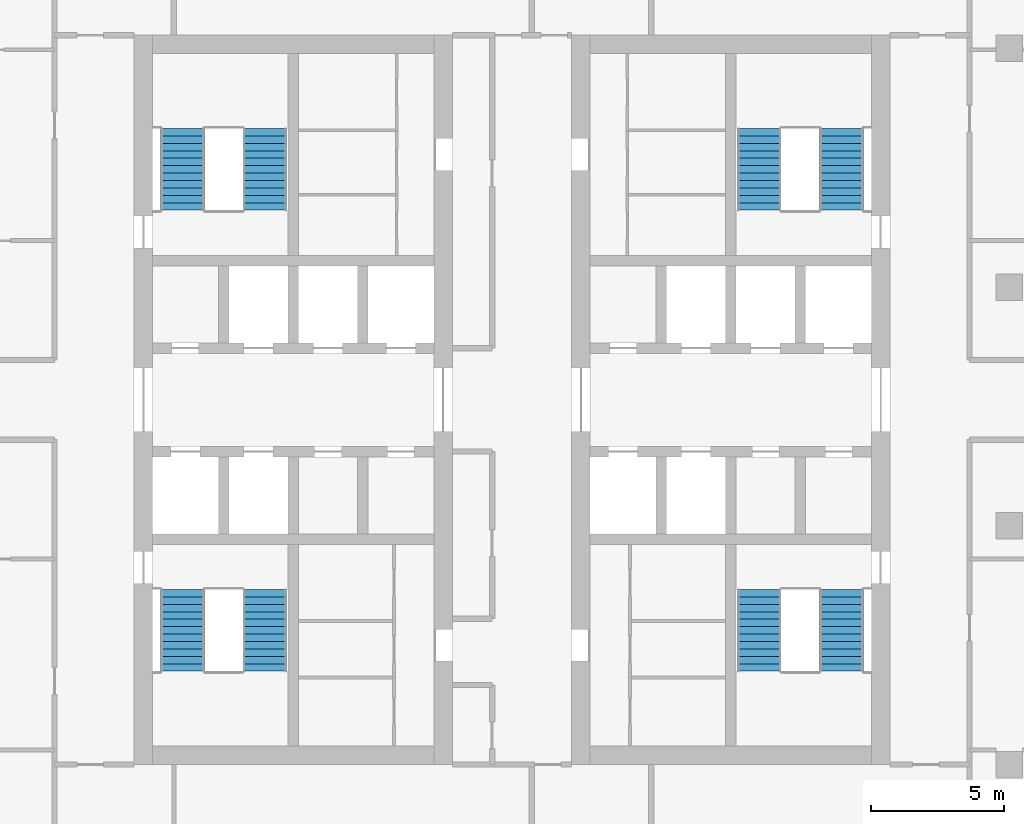
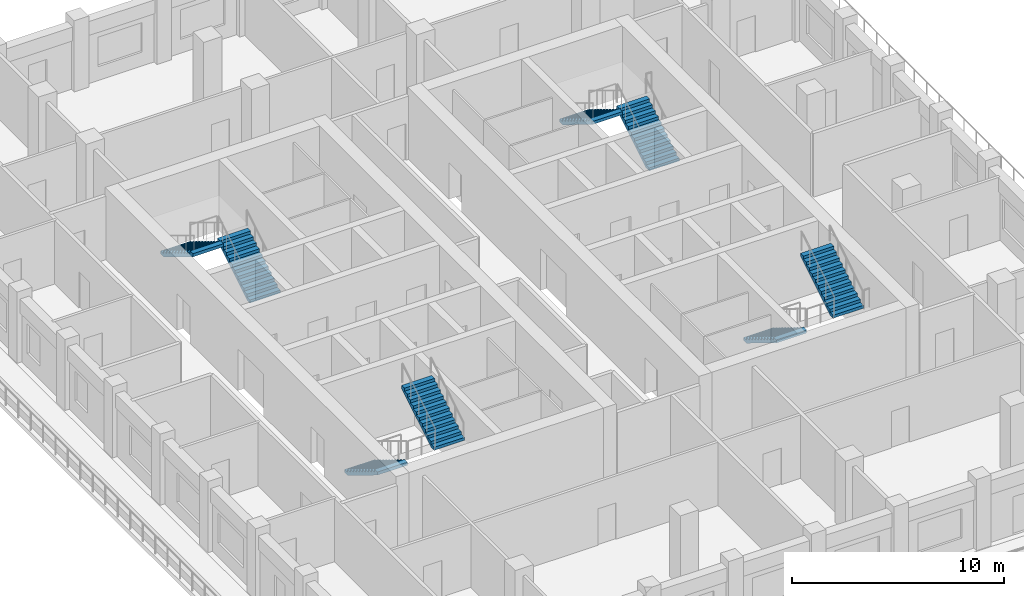
# One storey, part 8 of 17: 8 stair flights, 4 elements without a shape of their own.
"""IFC4 building model written with IfcOpenShell, lengths in metres."""

import ifcopenshell
import ifcopenshell.guid

model = None  # the IFC model being written
_history = None  # IfcOwnerHistory: only IFC2X3 demands one
_inside = {}  # id of a spatial element -> (the spatial element, [elements in it])
_under = {}  # id of a project, library or spatial element -> (it, [spatial elements below it])
_declared = {}  # id of a project -> (the project, [libraries it declares])
_typed = {}  # id of a type object -> (the type object, [elements of that type])
_made_of = {}  # id of a material, layer set ... -> (it, [elements and type objects made of it])


def new_model(schema):
    """Start an empty IFC model of exactly this schema.

    Asked for "IFC4X3", IfcOpenShell would pick the latest addendum, in which some entities
    have other attributes; the version numbers below select the first issue.
    IFC2X3 requires an IfcOwnerHistory on every rooted entity: one is made here for all.
    """
    global model, _history
    if schema == "IFC4X3":
        model = ifcopenshell.file(schema_version=(4, 3, 0, 0))
    else:
        model = ifcopenshell.file(schema=schema)
    _inside.clear()
    _under.clear()
    _declared.clear()
    _typed.clear()
    _made_of.clear()
    _history = None
    if model.schema == "IFC2X3":
        org = make("IfcOrganization", Name="unknown")
        user = make(
            "IfcPersonAndOrganization",
            ThePerson=make("IfcPerson", FamilyName="unknown"),
            TheOrganization=org,
        )
        app = make(
            "IfcApplication",
            ApplicationDeveloper=org,
            Version="unknown",
            ApplicationFullName="unknown",
            ApplicationIdentifier="unknown",
        )
        _history = make(
            "IfcOwnerHistory",
            OwningUser=user,
            OwningApplication=app,
            ChangeAction="ADDED",
            CreationDate=0,
        )
    return model


def make(cls, **values):
    """One entity of the class cls with the attributes given. An attribute that is None is left unset."""
    return model.create_entity(
        cls, **{name: value for name, value in values.items() if value is not None}
    )


def rooted(cls, **values):
    """An entity with a GlobalId (a new one), such as an element, a storey or a relation."""
    return make(cls, GlobalId=ifcopenshell.guid.new(), OwnerHistory=_history, **values)


def si_unit(unit_type, name, prefix=None):
    """IfcSIUnit, for example si_unit("LENGTHUNIT", "METRE", prefix="MILLI")."""
    return make("IfcSIUnit", UnitType=unit_type, Prefix=prefix, Name=name)


def assignment(units):
    """IfcUnitAssignment: the units of a project."""
    return None if units is None else make("IfcUnitAssignment", Units=units)


def point(xyz):
    """IfcCartesianPoint."""
    return None if xyz is None else make("IfcCartesianPoint", Coordinates=xyz)


def direction(xyz):
    """IfcDirection."""
    return None if xyz is None else make("IfcDirection", DirectionRatios=xyz)


def frame(location, z_axis=None, x_axis=None):
    """IfcAxis2Placement3D, a coordinate frame: its origin and axes. An axis left out is left unset."""
    return make(
        "IfcAxis2Placement3D",
        Location=point(location),
        Axis=direction(z_axis),
        RefDirection=direction(x_axis),
    )


def origin():
    """The frame at (0, 0, 0) with its axes left unset."""
    return frame((0.0, 0.0, 0.0))


def place(relative_to, where):
    """IfcLocalPlacement: puts the frame where relative to a parent placement (None: the world)."""
    return make(
        "IfcLocalPlacement", PlacementRelTo=relative_to, RelativePlacement=where
    )


def context(
    kind, dimensions, precision=None, world=None, true_north=None, identifier=None
):
    """IfcGeometricRepresentationContext, for example the 3D "Model" context."""
    return make(
        "IfcGeometricRepresentationContext",
        ContextIdentifier=identifier,
        ContextType=kind,
        CoordinateSpaceDimension=dimensions,
        Precision=precision,
        WorldCoordinateSystem=world,
        TrueNorth=true_north,
    )


def subcontext(parent, identifier, kind, view, scale=None):
    """IfcGeometricRepresentationSubContext, for example "Body" below "Model"."""
    return make(
        "IfcGeometricRepresentationSubContext",
        ContextIdentifier=identifier,
        ContextType=kind,
        ParentContext=parent,
        TargetScale=scale,
        TargetView=view,
    )


def project(units=None, contexts=None):
    """IfcProject with its units and contexts."""
    return rooted(
        "IfcProject",
        Name="project",
        RepresentationContexts=contexts,
        UnitsInContext=assignment(units),
    )


def spatial(cls, under=None, at=None, **own):
    """A site, building, storey or space (cls), placed at a placement, below another one or the project."""
    s = rooted(cls, ObjectPlacement=at, **own)
    if under is not None:
        _under.setdefault(under.id(), (under, []))[1].append(s)
    return s


def polyline(points):
    """IfcPolyline through the points."""
    return make("IfcPolyline", Points=[point(p) for p in points])


def outline(outer, holes=None, kind="AREA"):
    """IfcArbitraryClosedProfileDef: a profile drawn as a closed curve; with holes, ...WithVoids."""
    if holes is None:
        return make("IfcArbitraryClosedProfileDef", ProfileType=kind, OuterCurve=outer)
    return make(
        "IfcArbitraryProfileDefWithVoids",
        ProfileType=kind,
        OuterCurve=outer,
        InnerCurves=holes,
    )


def extrude(swept, where, along, depth):
    """IfcExtrudedAreaSolid: the profile swept, set in the frame where, extruded along a direction by depth."""
    return make(
        "IfcExtrudedAreaSolid",
        SweptArea=swept,
        Position=where,
        ExtrudedDirection=direction(along),
        Depth=depth,
    )


def shape(context_of_items, identifier, shape_type, items):
    """IfcShapeRepresentation: the items that make up one representation, for example the "Body"."""
    return make(
        "IfcShapeRepresentation",
        ContextOfItems=context_of_items,
        RepresentationIdentifier=identifier,
        RepresentationType=shape_type,
        Items=items,
    )


def material(Name=None, Category=None):
    """IfcMaterial."""
    return make("IfcMaterial", Name=Name, Category=Category)


def made_of(thing, what):
    """Note that an element or type object is made of a material, layer set ...; save() writes the relation."""
    if what is not None:
        _made_of.setdefault(what.id(), (what, []))[1].append(thing)
    return thing


def type_object(cls, material=None, **own):
    """A type object (cls), such as IfcWallType, which elements share."""
    return made_of(rooted(cls, **own), material)


def element(
    cls,
    number,
    at=None,
    inside=None,
    cuts=None,
    type_object=None,
    material=None,
    context=None,
    identifier="Body",
    shape_type=None,
    held_by="IfcProductDefinitionShape",
    body=None,
    shapes=None,
    **own,
):
    """One element of the class cls, such as IfcWall. Its Tag is "e" and its number.

    at: its placement. inside: the storey or other place that contains it. cuts: it is an
    opening in that element (IfcRelVoidsElement). A single representation is given by context,
    identifier, shape_type and body (its items); several are given by shapes. held_by: the class
    of the entity that holds the representations. save() writes the other relations.
    """
    e = rooted(cls, Tag="e%d" % number, ObjectPlacement=at, **own)
    if body is not None:
        shapes = [shape(context, identifier, shape_type, body)]
    if shapes is not None:
        e.Representation = make(held_by, Representations=shapes)
    if inside is not None:
        _inside.setdefault(inside.id(), (inside, []))[1].append(e)
    if cuts is not None:
        rooted(
            "IfcRelVoidsElement", RelatingBuildingElement=cuts, RelatedOpeningElement=e
        )
    if type_object is not None:
        _typed.setdefault(type_object.id(), (type_object, []))[1].append(e)
    return made_of(e, material)


def aggregate(whole, parts):
    """IfcRelAggregates: a whole, such as a stair, and the parts it consists of."""
    return rooted("IfcRelAggregates", RelatingObject=whole, RelatedObjects=parts)


def save(model, path):
    """Write the relations noted so far, then the file.

    IfcRelAggregates (storeys below a building ...), IfcRelContainedInSpatialStructure (elements
    in a storey), IfcRelDefinesByType, IfcRelAssociatesMaterial and IfcRelDeclares: one each for
    every whole, place, type object, material and project.
    """
    for whole, parts in _under.values():
        aggregate(whole, parts)
    for where, things in _inside.values():
        rooted(
            "IfcRelContainedInSpatialStructure",
            RelatedElements=things,
            RelatingStructure=where,
        )
    for kind, things in _typed.values():
        rooted("IfcRelDefinesByType", RelatedObjects=things, RelatingType=kind)
    for what, things in _made_of.values():
        rooted("IfcRelAssociatesMaterial", RelatedObjects=things, RelatingMaterial=what)
    for by, libraries in _declared.values():
        rooted("IfcRelDeclares", RelatingContext=by, RelatedDefinitions=libraries)
    model.write(path)


model = new_model("IFC4")

# Units and contexts
model_context = context("Model", 3, precision=1e-05, world=origin(), true_north=direction((0.0, 1.0)))
body_context = subcontext(model_context, "Body", "Model", "MODEL_VIEW")
ifc_project = project(units=[si_unit("LENGTHUNIT", "METRE"), si_unit("AREAUNIT", "SQUARE_METRE"), si_unit("VOLUMEUNIT", "CUBIC_METRE"), si_unit("PLANEANGLEUNIT", "RADIAN"), si_unit("MASSUNIT", "GRAM", prefix="KILO")], contexts=[model_context])

# Site, building, storey
site_placement = place(None, origin())
site = spatial("IfcSite", under=ifc_project, at=site_placement, CompositionType="ELEMENT")
building_placement = place(site_placement, origin())
building = spatial("IfcBuilding", under=site, at=building_placement, Name="Corbel Stack Research Tower", CompositionType="ELEMENT")
storey_placement = place(building_placement, frame((0.0, 0.0, 243.89990234375)))
storey = spatial("IfcBuildingStorey", under=building, at=storey_placement, Name="L55", CompositionType="ELEMENT", Elevation=243.89990234375)

# Stair, stair flights
ifc_material_1 = material(Name="Concrete C40/50", Category="concrete")
stair_type = type_object("IfcStairType", Name="Exit stair 24 risers", PredefinedType="HALF_TURN_STAIR", material=ifc_material_1)
stair_1_placement = place(storey_placement, origin())
stair_1 = element("IfcStair", 1, at=stair_1_placement, inside=storey, type_object=stair_type, Name="L55 Exit stair ST-W1", PredefinedType="HALF_TURN_STAIR")
ifc_material_2 = material(Name="Concrete C40/50", Category="concrete")
stair_flight_type = type_object("IfcStairFlightType", Name="Stair flight 12 risers", PredefinedType="STRAIGHT", material=ifc_material_2)
stair_flight_1_placement = place(storey_placement, frame((-8.675048828125, -2.39990234375, 0.0), z_axis=(0.0, 0.0, 1.0), x_axis=(0.0, -1.0, 0.0)))
stair_flight_1 = element("IfcStairFlight", 2, at=stair_flight_1_placement, type_object=stair_flight_type, Name="ST-W1 flight 1", NumberOfRisers=12, NumberOfTreads=11, PredefinedType="STRAIGHT", RiserHeight=0.170833333, TreadLength=0.28, context=body_context, shape_type="SweptSolid", body=[
    extrude(outline(polyline([(0.0, 0.0), (0.0, 0.1708984375), (0.280029296875, 0.1708984375), (0.280029296875, 0.341552734375), (0.56005859375, 0.341552734375), (0.56005859375, 0.512451171875), (0.840087890625, 0.512451171875), (0.840087890625, 0.683349609375), (1.1201171875, 0.683349609375), (1.1201171875, 0.854248046875), (1.39990234375, 0.854248046875), (1.39990234375, 1.02490234375), (1.679931640625, 1.02490234375), (1.679931640625, 1.19580078125), (1.9599609375, 1.19580078125), (1.9599609375, 1.36669921875), (2.239990234375, 1.36669921875), (2.239990234375, 1.53759765625), (2.52001953125, 1.53759765625), (2.52001953125, 1.708251953125), (2.800048828125, 1.708251953125), (2.800048828125, 1.879150390625), (3.080078125, 1.879150390625), (3.080078125, 2.050048828125), (3.080078125, 1.70361328125), (0.287841796875, 0.0), (0.0, 0.0)])), frame((0.0, 0.824951171875, 0.0), z_axis=(0.0, -1.0, 0.0), x_axis=(1.0, 0.0, 0.0)), (0.0, 0.0, 1.0), 1.64990234375),
])
stair_flight_2_placement = place(storey_placement, frame((-5.574951171875, -5.47998046875, 2.050048828125), z_axis=(0.0, 0.0, 1.0), x_axis=(0.0, 1.0, 0.0)))
stair_flight_2 = element("IfcStairFlight", 3, at=stair_flight_2_placement, type_object=stair_flight_type, Name="ST-W1 flight 2", NumberOfRisers=12, NumberOfTreads=11, PredefinedType="STRAIGHT", RiserHeight=0.170833333, TreadLength=0.28, context=body_context, shape_type="SweptSolid", body=[
    extrude(outline(polyline([(0.0, 0.0), (0.0, 0.1708984375), (0.280029296875, 0.1708984375), (0.280029296875, 0.341552734375), (0.56005859375, 0.341552734375), (0.56005859375, 0.512451171875), (0.840087890625, 0.512451171875), (0.840087890625, 0.683349609375), (1.1201171875, 0.683349609375), (1.1201171875, 0.854248046875), (1.39990234375, 0.854248046875), (1.39990234375, 1.02490234375), (1.679931640625, 1.02490234375), (1.679931640625, 1.19580078125), (1.9599609375, 1.19580078125), (1.9599609375, 1.36669921875), (2.239990234375, 1.36669921875), (2.239990234375, 1.53759765625), (2.52001953125, 1.53759765625), (2.52001953125, 1.708251953125), (2.800048828125, 1.708251953125), (2.800048828125, 1.879150390625), (3.080078125, 1.879150390625), (3.080078125, 2.050048828125), (3.080078125, 1.70361328125), (0.287841796875, 0.0), (0.0, 0.0)])), frame((0.0, 0.824951171875, 0.0), z_axis=(0.0, -1.0, 0.0), x_axis=(1.0, 0.0, 0.0)), (0.0, 0.0, 1.0), 1.64990234375),
])
aggregate(stair_1, [stair_flight_1, stair_flight_2])

stair_2_placement = place(storey_placement, origin())
stair_2 = element("IfcStair", 4, at=stair_2_placement, inside=storey, type_object=stair_type, Name="L55 Exit stair ST-W2", PredefinedType="HALF_TURN_STAIR")
stair_flight_3_placement = place(storey_placement, frame((-5.574951171875, 11.89990234375, 0.0), z_axis=(0.0, 0.0, 1.0), x_axis=(0.0, 1.0, 0.0)))
stair_flight_3 = element("IfcStairFlight", 5, at=stair_flight_3_placement, type_object=stair_flight_type, Name="ST-W2 flight 1", NumberOfRisers=12, NumberOfTreads=11, PredefinedType="STRAIGHT", RiserHeight=0.170833333, TreadLength=0.28, context=body_context, shape_type="SweptSolid", body=[
    extrude(outline(polyline([(0.0, 0.0), (0.0, 0.1708984375), (0.280029296875, 0.1708984375), (0.280029296875, 0.341552734375), (0.56005859375, 0.341552734375), (0.56005859375, 0.512451171875), (0.840087890625, 0.512451171875), (0.840087890625, 0.683349609375), (1.1201171875, 0.683349609375), (1.1201171875, 0.854248046875), (1.39990234375, 0.854248046875), (1.39990234375, 1.02490234375), (1.679931640625, 1.02490234375), (1.679931640625, 1.19580078125), (1.9599609375, 1.19580078125), (1.9599609375, 1.36669921875), (2.239990234375, 1.36669921875), (2.239990234375, 1.53759765625), (2.52001953125, 1.53759765625), (2.52001953125, 1.708251953125), (2.800048828125, 1.708251953125), (2.800048828125, 1.879150390625), (3.080078125, 1.879150390625), (3.080078125, 2.050048828125), (3.080078125, 1.70361328125), (0.287841796875, 0.0), (0.0, 0.0)])), frame((0.0, 0.824951171875, 0.0), z_axis=(0.0, -1.0, 0.0), x_axis=(1.0, 0.0, 0.0)), (0.0, 0.0, 1.0), 1.64990234375),
])
stair_flight_4_placement = place(storey_placement, frame((-8.675048828125, 14.97998046875, 2.050048828125), z_axis=(0.0, 0.0, 1.0), x_axis=(0.0, -1.0, 0.0)))
stair_flight_4 = element("IfcStairFlight", 6, at=stair_flight_4_placement, type_object=stair_flight_type, Name="ST-W2 flight 2", NumberOfRisers=12, NumberOfTreads=11, PredefinedType="STRAIGHT", RiserHeight=0.170833333, TreadLength=0.28, context=body_context, shape_type="SweptSolid", body=[
    extrude(outline(polyline([(0.0, 0.0), (0.0, 0.1708984375), (0.280029296875, 0.1708984375), (0.280029296875, 0.341552734375), (0.56005859375, 0.341552734375), (0.56005859375, 0.512451171875), (0.840087890625, 0.512451171875), (0.840087890625, 0.683349609375), (1.1201171875, 0.683349609375), (1.1201171875, 0.854248046875), (1.39990234375, 0.854248046875), (1.39990234375, 1.02490234375), (1.679931640625, 1.02490234375), (1.679931640625, 1.19580078125), (1.9599609375, 1.19580078125), (1.9599609375, 1.36669921875), (2.239990234375, 1.36669921875), (2.239990234375, 1.53759765625), (2.52001953125, 1.53759765625), (2.52001953125, 1.708251953125), (2.800048828125, 1.708251953125), (2.800048828125, 1.879150390625), (3.080078125, 1.879150390625), (3.080078125, 2.050048828125), (3.080078125, 1.70361328125), (0.287841796875, 0.0), (0.0, 0.0)])), frame((0.0, 0.824951171875, 0.0), z_axis=(0.0, -1.0, 0.0), x_axis=(1.0, 0.0, 0.0)), (0.0, 0.0, 1.0), 1.64990234375),
])
aggregate(stair_2, [stair_flight_3, stair_flight_4])

stair_3_placement = place(storey_placement, origin())
stair_3 = element("IfcStair", 7, at=stair_3_placement, inside=storey, type_object=stair_type, Name="L55 Exit stair ST-E1", PredefinedType="HALF_TURN_STAIR")
stair_flight_5_placement = place(storey_placement, frame((13.074951171875, -2.39990234375, 0.0), z_axis=(0.0, 0.0, 1.0), x_axis=(0.0, -1.0, 0.0)))
stair_flight_5 = element("IfcStairFlight", 8, at=stair_flight_5_placement, type_object=stair_flight_type, Name="ST-E1 flight 1", NumberOfRisers=12, NumberOfTreads=11, PredefinedType="STRAIGHT", RiserHeight=0.170833333, TreadLength=0.28, context=body_context, shape_type="SweptSolid", body=[
    extrude(outline(polyline([(0.0, 0.0), (0.0, 0.1708984375), (0.280029296875, 0.1708984375), (0.280029296875, 0.341552734375), (0.56005859375, 0.341552734375), (0.56005859375, 0.512451171875), (0.840087890625, 0.512451171875), (0.840087890625, 0.683349609375), (1.1201171875, 0.683349609375), (1.1201171875, 0.854248046875), (1.39990234375, 0.854248046875), (1.39990234375, 1.02490234375), (1.679931640625, 1.02490234375), (1.679931640625, 1.19580078125), (1.9599609375, 1.19580078125), (1.9599609375, 1.36669921875), (2.239990234375, 1.36669921875), (2.239990234375, 1.53759765625), (2.52001953125, 1.53759765625), (2.52001953125, 1.708251953125), (2.800048828125, 1.708251953125), (2.800048828125, 1.879150390625), (3.080078125, 1.879150390625), (3.080078125, 2.050048828125), (3.080078125, 1.70361328125), (0.287841796875, 0.0), (0.0, 0.0)])), frame((0.0, 0.824951171875, 0.0), z_axis=(0.0, -1.0, 0.0), x_axis=(1.0, 0.0, 0.0)), (0.0, 0.0, 1.0), 1.64990234375),
])
stair_flight_6_placement = place(storey_placement, frame((16.175048828125, -5.47998046875, 2.050048828125), z_axis=(0.0, 0.0, 1.0), x_axis=(0.0, 1.0, 0.0)))
stair_flight_6 = element("IfcStairFlight", 9, at=stair_flight_6_placement, type_object=stair_flight_type, Name="ST-E1 flight 2", NumberOfRisers=12, NumberOfTreads=11, PredefinedType="STRAIGHT", RiserHeight=0.170833333, TreadLength=0.28, context=body_context, shape_type="SweptSolid", body=[
    extrude(outline(polyline([(0.0, 0.0), (0.0, 0.1708984375), (0.280029296875, 0.1708984375), (0.280029296875, 0.341552734375), (0.56005859375, 0.341552734375), (0.56005859375, 0.512451171875), (0.840087890625, 0.512451171875), (0.840087890625, 0.683349609375), (1.1201171875, 0.683349609375), (1.1201171875, 0.854248046875), (1.39990234375, 0.854248046875), (1.39990234375, 1.02490234375), (1.679931640625, 1.02490234375), (1.679931640625, 1.19580078125), (1.9599609375, 1.19580078125), (1.9599609375, 1.36669921875), (2.239990234375, 1.36669921875), (2.239990234375, 1.53759765625), (2.52001953125, 1.53759765625), (2.52001953125, 1.708251953125), (2.800048828125, 1.708251953125), (2.800048828125, 1.879150390625), (3.080078125, 1.879150390625), (3.080078125, 2.050048828125), (3.080078125, 1.70361328125), (0.287841796875, 0.0), (0.0, 0.0)])), frame((0.0, 0.824951171875, 0.0), z_axis=(0.0, -1.0, 0.0), x_axis=(1.0, 0.0, 0.0)), (0.0, 0.0, 1.0), 1.64990234375),
])
aggregate(stair_3, [stair_flight_5, stair_flight_6])

stair_4_placement = place(storey_placement, origin())
stair_4 = element("IfcStair", 10, at=stair_4_placement, inside=storey, type_object=stair_type, Name="L55 Exit stair ST-E2", PredefinedType="HALF_TURN_STAIR")
stair_flight_7_placement = place(storey_placement, frame((16.175048828125, 11.89990234375, 0.0), z_axis=(0.0, 0.0, 1.0), x_axis=(0.0, 1.0, 0.0)))
stair_flight_7 = element("IfcStairFlight", 11, at=stair_flight_7_placement, type_object=stair_flight_type, Name="ST-E2 flight 1", NumberOfRisers=12, NumberOfTreads=11, PredefinedType="STRAIGHT", RiserHeight=0.170833333, TreadLength=0.28, context=body_context, shape_type="SweptSolid", body=[
    extrude(outline(polyline([(0.0, 0.0), (0.0, 0.1708984375), (0.280029296875, 0.1708984375), (0.280029296875, 0.341552734375), (0.56005859375, 0.341552734375), (0.56005859375, 0.512451171875), (0.840087890625, 0.512451171875), (0.840087890625, 0.683349609375), (1.1201171875, 0.683349609375), (1.1201171875, 0.854248046875), (1.39990234375, 0.854248046875), (1.39990234375, 1.02490234375), (1.679931640625, 1.02490234375), (1.679931640625, 1.19580078125), (1.9599609375, 1.19580078125), (1.9599609375, 1.36669921875), (2.239990234375, 1.36669921875), (2.239990234375, 1.53759765625), (2.52001953125, 1.53759765625), (2.52001953125, 1.708251953125), (2.800048828125, 1.708251953125), (2.800048828125, 1.879150390625), (3.080078125, 1.879150390625), (3.080078125, 2.050048828125), (3.080078125, 1.70361328125), (0.287841796875, 0.0), (0.0, 0.0)])), frame((0.0, 0.824951171875, 0.0), z_axis=(0.0, -1.0, 0.0), x_axis=(1.0, 0.0, 0.0)), (0.0, 0.0, 1.0), 1.64990234375),
])
stair_flight_8_placement = place(storey_placement, frame((13.074951171875, 14.97998046875, 2.050048828125), z_axis=(0.0, 0.0, 1.0), x_axis=(0.0, -1.0, 0.0)))
stair_flight_8 = element("IfcStairFlight", 12, at=stair_flight_8_placement, type_object=stair_flight_type, Name="ST-E2 flight 2", NumberOfRisers=12, NumberOfTreads=11, PredefinedType="STRAIGHT", RiserHeight=0.170833333, TreadLength=0.28, context=body_context, shape_type="SweptSolid", body=[
    extrude(outline(polyline([(0.0, 0.0), (0.0, 0.1708984375), (0.280029296875, 0.1708984375), (0.280029296875, 0.341552734375), (0.56005859375, 0.341552734375), (0.56005859375, 0.512451171875), (0.840087890625, 0.512451171875), (0.840087890625, 0.683349609375), (1.1201171875, 0.683349609375), (1.1201171875, 0.854248046875), (1.39990234375, 0.854248046875), (1.39990234375, 1.02490234375), (1.679931640625, 1.02490234375), (1.679931640625, 1.19580078125), (1.9599609375, 1.19580078125), (1.9599609375, 1.36669921875), (2.239990234375, 1.36669921875), (2.239990234375, 1.53759765625), (2.52001953125, 1.53759765625), (2.52001953125, 1.708251953125), (2.800048828125, 1.708251953125), (2.800048828125, 1.879150390625), (3.080078125, 1.879150390625), (3.080078125, 2.050048828125), (3.080078125, 1.70361328125), (0.287841796875, 0.0), (0.0, 0.0)])), frame((0.0, 0.824951171875, 0.0), z_axis=(0.0, -1.0, 0.0), x_axis=(1.0, 0.0, 0.0)), (0.0, 0.0, 1.0), 1.64990234375),
])
aggregate(stair_4, [stair_flight_7, stair_flight_8])

save(model, "model.ifc")
